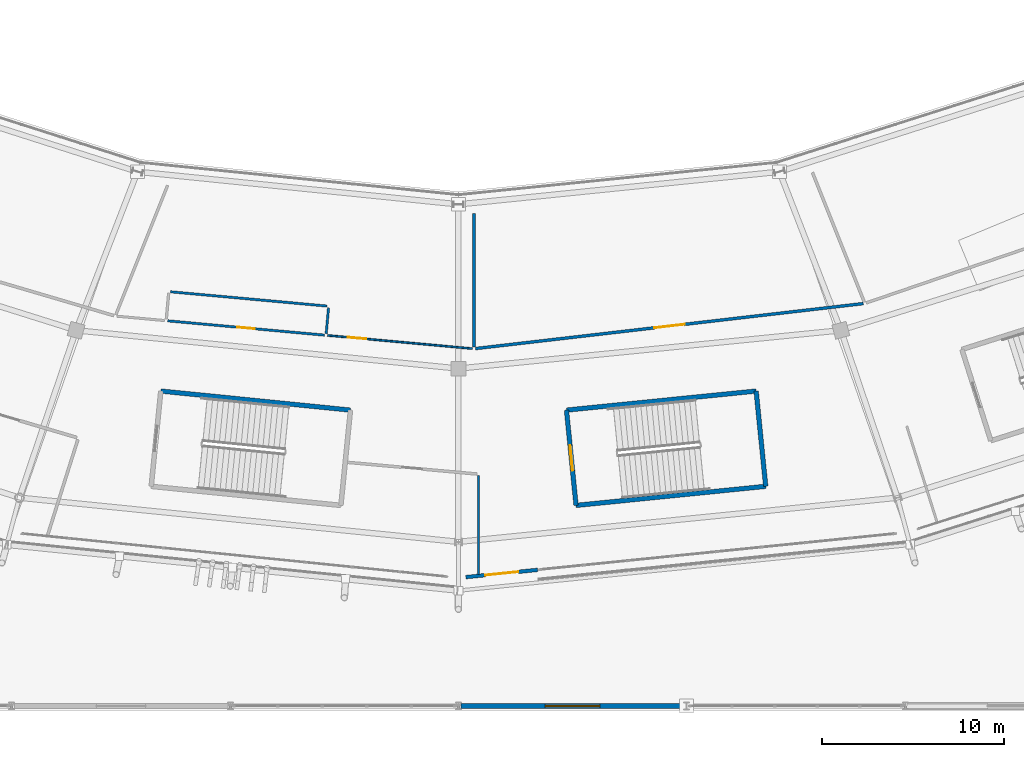
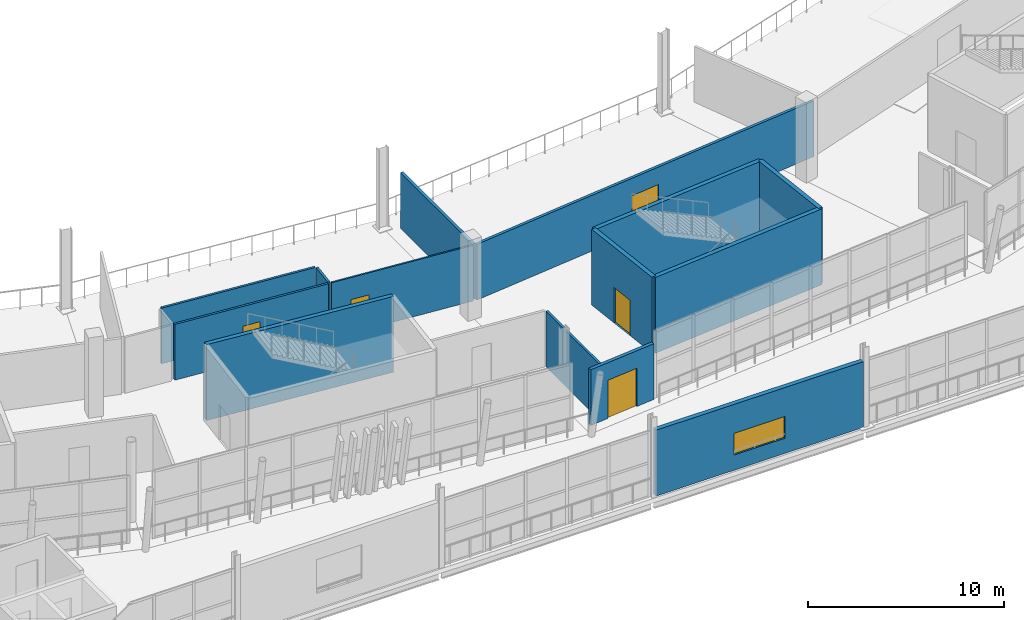
# One storey, part 126 of 179: 14 walls, 5 doors, 1 window, 6 openings.
"""IFC4 building model written with IfcOpenShell, lengths in metres."""

import ifcopenshell
import ifcopenshell.guid

model = None  # the IFC model being written
_history = None  # IfcOwnerHistory: only IFC2X3 demands one
_inside = {}  # id of a spatial element -> (the spatial element, [elements in it])
_under = {}  # id of a project, library or spatial element -> (it, [spatial elements below it])
_declared = {}  # id of a project -> (the project, [libraries it declares])
_typed = {}  # id of a type object -> (the type object, [elements of that type])
_made_of = {}  # id of a material, layer set ... -> (it, [elements and type objects made of it])


def new_model(schema):
    """Start an empty IFC model of exactly this schema.

    Asked for "IFC4X3", IfcOpenShell would pick the latest addendum, in which some entities
    have other attributes; the version numbers below select the first issue.
    IFC2X3 requires an IfcOwnerHistory on every rooted entity: one is made here for all.
    """
    global model, _history
    if schema == "IFC4X3":
        model = ifcopenshell.file(schema_version=(4, 3, 0, 0))
    else:
        model = ifcopenshell.file(schema=schema)
    _inside.clear()
    _under.clear()
    _declared.clear()
    _typed.clear()
    _made_of.clear()
    _history = None
    if model.schema == "IFC2X3":
        org = make("IfcOrganization", Name="unknown")
        user = make(
            "IfcPersonAndOrganization",
            ThePerson=make("IfcPerson", FamilyName="unknown"),
            TheOrganization=org,
        )
        app = make(
            "IfcApplication",
            ApplicationDeveloper=org,
            Version="unknown",
            ApplicationFullName="unknown",
            ApplicationIdentifier="unknown",
        )
        _history = make(
            "IfcOwnerHistory",
            OwningUser=user,
            OwningApplication=app,
            ChangeAction="ADDED",
            CreationDate=0,
        )
    return model


def make(cls, **values):
    """One entity of the class cls with the attributes given. An attribute that is None is left unset."""
    return model.create_entity(
        cls, **{name: value for name, value in values.items() if value is not None}
    )


def rooted(cls, **values):
    """An entity with a GlobalId (a new one), such as an element, a storey or a relation."""
    return make(cls, GlobalId=ifcopenshell.guid.new(), OwnerHistory=_history, **values)


def si_unit(unit_type, name, prefix=None):
    """IfcSIUnit, for example si_unit("LENGTHUNIT", "METRE", prefix="MILLI")."""
    return make("IfcSIUnit", UnitType=unit_type, Prefix=prefix, Name=name)


def assignment(units):
    """IfcUnitAssignment: the units of a project."""
    return None if units is None else make("IfcUnitAssignment", Units=units)


def point(xyz):
    """IfcCartesianPoint."""
    return None if xyz is None else make("IfcCartesianPoint", Coordinates=xyz)


def direction(xyz):
    """IfcDirection."""
    return None if xyz is None else make("IfcDirection", DirectionRatios=xyz)


def frame(location, z_axis=None, x_axis=None):
    """IfcAxis2Placement3D, a coordinate frame: its origin and axes. An axis left out is left unset."""
    return make(
        "IfcAxis2Placement3D",
        Location=point(location),
        Axis=direction(z_axis),
        RefDirection=direction(x_axis),
    )


def frame_2d(location, x_axis=None):
    """IfcAxis2Placement2D, a coordinate frame in the plane: its origin and x axis."""
    return make(
        "IfcAxis2Placement2D", Location=point(location), RefDirection=direction(x_axis)
    )


def origin():
    """The frame at (0, 0, 0) with its axes left unset."""
    return frame((0.0, 0.0, 0.0))


def place(relative_to, where):
    """IfcLocalPlacement: puts the frame where relative to a parent placement (None: the world)."""
    return make(
        "IfcLocalPlacement", PlacementRelTo=relative_to, RelativePlacement=where
    )


def context(
    kind, dimensions, precision=None, world=None, true_north=None, identifier=None
):
    """IfcGeometricRepresentationContext, for example the 3D "Model" context."""
    return make(
        "IfcGeometricRepresentationContext",
        ContextIdentifier=identifier,
        ContextType=kind,
        CoordinateSpaceDimension=dimensions,
        Precision=precision,
        WorldCoordinateSystem=world,
        TrueNorth=true_north,
    )


def subcontext(parent, identifier, kind, view, scale=None):
    """IfcGeometricRepresentationSubContext, for example "Body" below "Model"."""
    return make(
        "IfcGeometricRepresentationSubContext",
        ContextIdentifier=identifier,
        ContextType=kind,
        ParentContext=parent,
        TargetScale=scale,
        TargetView=view,
    )


def project(units=None, contexts=None):
    """IfcProject with its units and contexts."""
    return rooted(
        "IfcProject",
        Name="project",
        RepresentationContexts=contexts,
        UnitsInContext=assignment(units),
    )


def spatial(cls, under=None, at=None, **own):
    """A site, building, storey or space (cls), placed at a placement, below another one or the project."""
    s = rooted(cls, ObjectPlacement=at, **own)
    if under is not None:
        _under.setdefault(under.id(), (under, []))[1].append(s)
    return s


def profile(cls, at=None, kind="AREA", **sizes):
    """A parametric profile (cls). Its sizes go by their IFC names, for example OverallWidth=200.0."""
    return make(cls, ProfileType=kind, Position=at, **sizes)


def rectangle(**sizes):
    """IfcRectangleProfileDef."""
    return profile("IfcRectangleProfileDef", **sizes)


def extrude(swept, where, along, depth):
    """IfcExtrudedAreaSolid: the profile swept, set in the frame where, extruded along a direction by depth."""
    return make(
        "IfcExtrudedAreaSolid",
        SweptArea=swept,
        Position=where,
        ExtrudedDirection=direction(along),
        Depth=depth,
    )


def shape(context_of_items, identifier, shape_type, items):
    """IfcShapeRepresentation: the items that make up one representation, for example the "Body"."""
    return make(
        "IfcShapeRepresentation",
        ContextOfItems=context_of_items,
        RepresentationIdentifier=identifier,
        RepresentationType=shape_type,
        Items=items,
    )


def material(Name=None, Category=None):
    """IfcMaterial."""
    return make("IfcMaterial", Name=Name, Category=Category)


def layer(
    of_material, thickness, ventilated=None, Name=None, Category=None, Priority=None
):
    """IfcMaterialLayer: one layer of a wall or slab, of a material (None: an air gap)."""
    return make(
        "IfcMaterialLayer",
        Material=of_material,
        LayerThickness=thickness,
        IsVentilated=ventilated,
        Name=Name,
        Category=Category,
        Priority=Priority,
    )


def layer_set(layers, Name=None):
    """IfcMaterialLayerSet."""
    return make("IfcMaterialLayerSet", MaterialLayers=layers, LayerSetName=Name)


def made_of(thing, what):
    """Note that an element or type object is made of a material, layer set ...; save() writes the relation."""
    if what is not None:
        _made_of.setdefault(what.id(), (what, []))[1].append(thing)
    return thing


def type_object(cls, material=None, **own):
    """A type object (cls), such as IfcWallType, which elements share."""
    return made_of(rooted(cls, **own), material)


def element(
    cls,
    number,
    at=None,
    inside=None,
    cuts=None,
    type_object=None,
    material=None,
    context=None,
    identifier="Body",
    shape_type=None,
    held_by="IfcProductDefinitionShape",
    body=None,
    shapes=None,
    **own,
):
    """One element of the class cls, such as IfcWall. Its Tag is "e" and its number.

    at: its placement. inside: the storey or other place that contains it. cuts: it is an
    opening in that element (IfcRelVoidsElement). A single representation is given by context,
    identifier, shape_type and body (its items); several are given by shapes. held_by: the class
    of the entity that holds the representations. save() writes the other relations.
    """
    e = rooted(cls, Tag="e%d" % number, ObjectPlacement=at, **own)
    if body is not None:
        shapes = [shape(context, identifier, shape_type, body)]
    if shapes is not None:
        e.Representation = make(held_by, Representations=shapes)
    if inside is not None:
        _inside.setdefault(inside.id(), (inside, []))[1].append(e)
    if cuts is not None:
        rooted(
            "IfcRelVoidsElement", RelatingBuildingElement=cuts, RelatedOpeningElement=e
        )
    if type_object is not None:
        _typed.setdefault(type_object.id(), (type_object, []))[1].append(e)
    return made_of(e, material)


def fill(opening, filler):
    """IfcRelFillsElement: the door or window that sits in an opening."""
    return rooted(
        "IfcRelFillsElement",
        RelatingOpeningElement=opening,
        RelatedBuildingElement=filler,
    )


def aggregate(whole, parts):
    """IfcRelAggregates: a whole, such as a stair, and the parts it consists of."""
    return rooted("IfcRelAggregates", RelatingObject=whole, RelatedObjects=parts)


def save(model, path):
    """Write the relations noted so far, then the file.

    IfcRelAggregates (storeys below a building ...), IfcRelContainedInSpatialStructure (elements
    in a storey), IfcRelDefinesByType, IfcRelAssociatesMaterial and IfcRelDeclares: one each for
    every whole, place, type object, material and project.
    """
    for whole, parts in _under.values():
        aggregate(whole, parts)
    for where, things in _inside.values():
        rooted(
            "IfcRelContainedInSpatialStructure",
            RelatedElements=things,
            RelatingStructure=where,
        )
    for kind, things in _typed.values():
        rooted("IfcRelDefinesByType", RelatedObjects=things, RelatingType=kind)
    for what, things in _made_of.values():
        rooted("IfcRelAssociatesMaterial", RelatedObjects=things, RelatingMaterial=what)
    for by, libraries in _declared.values():
        rooted("IfcRelDeclares", RelatingContext=by, RelatedDefinitions=libraries)
    model.write(path)


model = new_model("IFC4")

# Units and contexts
model_context = context("Model", 3, precision=1e-05, world=origin(), true_north=direction((0.0, 1.0)))
body_context = subcontext(model_context, "Body", "Model", "MODEL_VIEW")
ifc_project = project(units=[si_unit("LENGTHUNIT", "METRE"), si_unit("AREAUNIT", "SQUARE_METRE"), si_unit("VOLUMEUNIT", "CUBIC_METRE"), si_unit("PLANEANGLEUNIT", "RADIAN"), si_unit("MASSUNIT", "GRAM", prefix="KILO")], contexts=[model_context])

# Site, building, storey
site_placement = place(None, origin())
site = spatial("IfcSite", under=ifc_project, at=site_placement, CompositionType="ELEMENT")
building_placement = place(site_placement, origin())
building = spatial("IfcBuilding", under=site, at=building_placement, Name="Zlatoyarsky Gate Stadium", CompositionType="ELEMENT")
storey_placement = place(building_placement, frame((0.0, 0.0, 10.60009765625)))
storey = spatial("IfcBuildingStorey", under=building, at=storey_placement, Name="L02", CompositionType="ELEMENT", Elevation=10.60009765625)

# Wall
ifc_material_1 = material(Name="Double-stud acoustic gypsum partition", Category="gypsum")
ifc_layer_1 = layer(ifc_material_1, 0.169921875)
ifc_layer_set_1 = layer_set([ifc_layer_1], Name="Double-stud acoustic gypsum partition")
wall_type_1 = type_object("IfcWallType", Name="ACOUSTIC BROADCAST STUDIO WALL 170", PredefinedType="PARTITIONING", material=ifc_layer_set_1)
wall_1_placement = place(storey_placement, frame((111.845703125, 27.0009765625, 0.0), z_axis=(0.0, 0.0, 1.0), x_axis=(0.0, -1.0, 0.0)))
element("IfcWall", 1, at=wall_1_placement, inside=storey, type_object=wall_type_1, Name="L02 interior partition PRT-L02-IRD-18", PredefinedType="PARTITIONING", context=body_context, shape_type="SweptSolid", body=[
    extrude(rectangle(XDim=7.33154296875, YDim=0.169921875, at=frame_2d((3.665771484375, 0.0))), origin(), (0.0, 0.0, 1.0), 3.469970703125),
])

# Wall, opening, door
ifc_material_2 = material(Name="Gypsum-clad mineral wool fire partition", Category="gypsum")
ifc_layer_2 = layer(ifc_material_2, 0.199951171875)
ifc_layer_set_2 = layer_set([ifc_layer_2], Name="Gypsum-clad mineral wool fire partition")
wall_type_2 = type_object("IfcWallType", Name="COMPARTMENT FIRE PARTITION WALL 200", PredefinedType="PARTITIONING", material=ifc_layer_set_2)
wall_2_placement = place(storey_placement, frame((111.403076171875, 7.06494140625, 0.0), z_axis=(0.0, 0.0, 1.0), x_axis=(0.994924851804, 0.100620769545, 0.0)))
wall_2 = element("IfcWall", 2, at=wall_2_placement, inside=storey, type_object=wall_type_2, Name="L02 interior partition PRT-PORTAL-L02-18", PredefinedType="PARTITIONING", context=body_context, shape_type="SweptSolid", body=[
    extrude(rectangle(XDim=3.959716796875, YDim=0.199951171875, at=frame_2d((1.97998046875, 0.0))), origin(), (0.0, 0.0, 1.0), 3.469970703125),
])
opening_1_placement = place(wall_2_placement, frame((1.070068359375, 0.0, 0.0)))
opening_1 = element("IfcOpeningElement", 3, at=opening_1_placement, cuts=wall_2, Name="Opening D-L02-716", PredefinedType="OPENING", context=body_context, shape_type="SweptSolid", body=[
    extrude(rectangle(XDim=1.820068359375, YDim=2.3798828125, at=frame_2d((0.91015625, 1.18994140625))), frame((0.0, 0.10986328125, 0.0), z_axis=(0.0, -1.0, 0.0), x_axis=(1.0, 0.0, 0.0)), (0.0, 0.0, 1.0), 0.219970703125),
])
ifc_material_3 = material(Name="Powder-coated steel fire door", Category="steel")
door_type_1 = type_object("IfcDoorType", Name="ACOUSTIC INTERIOR DOOR 1820X2380", OperationType="NOTDEFINED", PredefinedType="DOOR", material=ifc_material_3)
door_1_placement = place(opening_1_placement, origin())
door_1 = element("IfcDoor", 4, at=door_1_placement, inside=storey, type_object=door_type_1, Name="L02 room door D-L02-716", OperationType="SINGLE_SWING_RIGHT", OverallHeight=2.3798828125, OverallWidth=1.820068359375, PredefinedType="DOOR", context=body_context, shape_type="SweptSolid", body=[
    extrude(rectangle(XDim=1.820068359375, YDim=2.3798828125, at=frame_2d((0.91015625, 1.18994140625))), frame((0.0, 0.02490234375, 0.0), z_axis=(0.0, -1.0, 0.0), x_axis=(1.0, 0.0, 0.0)), (0.0, 0.0, 1.0), 0.050048828125),
])
fill(opening_1, door_1)

ifc_material_4 = material(Name="Concrete C40/50", Category="concrete")
ifc_layer_3 = layer(ifc_material_4, 0.25)
ifc_layer_set_3 = layer_set([ifc_layer_3], Name="Concrete C40/50")
wall_type_3 = type_object("IfcWallType", Name="CONCRETE STAIR CORE SHEAR WALL 250", PredefinedType="SHEAR", material=ifc_layer_set_3)
wall_3_placement = place(storey_placement, frame((116.92138671875, 16.220947265625, 0.0), z_axis=(0.0, 0.0, 1.0), x_axis=(0.100028593886, -0.994984562898, 0.0)))
wall_3 = element("IfcWall", 5, at=wall_3_placement, inside=storey, type_object=wall_type_3, Name="ST-10 L02 stair core entrance shear wall", PredefinedType="SHEAR", context=body_context, shape_type="SweptSolid", body=[
    extrude(rectangle(XDim=5.25, YDim=0.25, at=frame_2d((2.625, 0.0))), origin(), (0.0, 0.0, 1.0), 4.719970703125),
])
opening_2_placement = place(wall_3_placement, frame((1.925048828125, 0.0, 0.0)))
opening_2 = element("IfcOpeningElement", 6, at=opening_2_placement, cuts=wall_3, Name="Opening SD-ST-10-L02", PredefinedType="OPENING", context=body_context, shape_type="SweptSolid", body=[
    extrude(rectangle(XDim=1.39990234375, YDim=2.199951171875, at=frame_2d((0.699951171875, 1.10009765625))), frame((0.0, 0.135009765625, 0.0), z_axis=(0.0, -1.0, 0.0), x_axis=(1.0, 0.0, 0.0)), (0.0, 0.0, 1.0), 0.27001953125),
])
door_type_2 = type_object("IfcDoorType", Name="STAIR CORE FIRE EXIT DOOR 1400X2200", OperationType="NOTDEFINED", PredefinedType="DOOR", material=ifc_material_3)
door_2_placement = place(opening_2_placement, frame((1.39990234375, 0.0, 0.0), z_axis=(0.0, 0.0, 1.0), x_axis=(-1.0, 0.0, 0.0)))
door_2 = element("IfcDoor", 7, at=door_2_placement, inside=storey, type_object=door_type_2, Name="ST-10 L02 stair fire door", OperationType="SINGLE_SWING_RIGHT", OverallHeight=2.199951171875, OverallWidth=1.39990234375, PredefinedType="DOOR", context=body_context, shape_type="SweptSolid", body=[
    extrude(rectangle(XDim=1.39990234375, YDim=2.199951171875, at=frame_2d((0.699951171875, 1.10009765625))), frame((0.0, 0.02490234375, 0.0), z_axis=(0.0, -1.0, 0.0), x_axis=(1.0, 0.0, 0.0)), (0.0, 0.0, 1.0), 0.050048828125),
])
fill(opening_2, door_2)

# Walls
wall_4_placement = place(storey_placement, frame((117.446533203125, 10.997314453125, 0.0), z_axis=(0.0, 0.0, 1.0), x_axis=(0.994985938948, 0.100014905366, 0.0)))
element("IfcWall", 8, at=wall_4_placement, inside=storey, type_object=wall_type_3, Name="ST-10 L02 stair core left shear wall", PredefinedType="SHEAR", context=body_context, shape_type="SweptSolid", body=[
    extrude(rectangle(XDim=10.4501953125, YDim=0.25, at=frame_2d((5.22509765625, 0.0))), origin(), (0.0, 0.0, 1.0), 4.719970703125),
])
wall_5_placement = place(storey_placement, frame((127.84423828125, 12.04248046875, 0.0), z_axis=(0.0, 0.0, 1.0), x_axis=(-0.100028593886, 0.994984562898, 0.0)))
element("IfcWall", 9, at=wall_5_placement, inside=storey, type_object=wall_type_3, Name="ST-10 L02 stair core far shear wall", PredefinedType="SHEAR", context=body_context, shape_type="SweptSolid", body=[
    extrude(rectangle(XDim=5.25, YDim=0.25, at=frame_2d((2.625, 0.0))), origin(), (0.0, 0.0, 1.0), 4.719970703125),
])
wall_6_placement = place(storey_placement, frame((127.319091796875, 17.26611328125, 0.0), z_axis=(0.0, 0.0, 1.0), x_axis=(-0.994985938948, -0.100014905366, 0.0)))
element("IfcWall", 10, at=wall_6_placement, inside=storey, type_object=wall_type_3, Name="ST-10 L02 stair core right shear wall", PredefinedType="SHEAR", context=body_context, shape_type="SweptSolid", body=[
    extrude(rectangle(XDim=10.4501953125, YDim=0.25, at=frame_2d((5.22509765625, 0.0))), origin(), (0.0, 0.0, 1.0), 4.719970703125),
])
wall_7_placement = place(storey_placement, frame((105.078369140625, 16.220947265625, 0.0), z_axis=(0.0, 0.0, 1.0), x_axis=(-0.994985705245, 0.100017230303, 0.0)))
element("IfcWall", 11, at=wall_7_placement, inside=storey, type_object=wall_type_3, Name="ST-19 L02 stair core right shear wall", PredefinedType="SHEAR", context=body_context, shape_type="SweptSolid", body=[
    extrude(rectangle(XDim=10.449951171875, YDim=0.25, at=frame_2d((5.22509765625, 0.0))), origin(), (0.0, 0.0, 1.0), 4.719970703125),
])

# Wall, opening, door
ifc_material_5 = material(Name="Timber-veneered acoustic operable partition", Category="wood")
ifc_layer_4 = layer(ifc_material_5, 0.094970703125)
ifc_layer_set_4 = layer_set([ifc_layer_4], Name="Timber-veneered acoustic operable partition")
wall_type_4 = type_object("IfcWallType", Name="FOLDING BANQUET SALON WALL 95", PredefinedType="MOVABLE", material=ifc_layer_set_4)
wall_8_placement = place(storey_placement, frame((103.82373046875, 20.316162109375, 0.0), z_axis=(0.0, 0.0, 1.0), x_axis=(0.995864534593, -0.090850584695, 0.0)))
wall_8 = element("IfcWall", 12, at=wall_8_placement, inside=storey, type_object=wall_type_4, Name="L02 interior partition PRT-L02-ICC-17", PredefinedType="MOVABLE", context=body_context, shape_type="SweptSolid", body=[
    extrude(rectangle(XDim=7.970458984375, YDim=0.094970703125, at=frame_2d((3.9853515625, 0.0))), origin(), (0.0, 0.0, 1.0), 3.469970703125),
])
opening_3_placement = place(wall_8_placement, frame((1.10009765625, 0.0, 0.0)))
opening_3 = element("IfcOpeningElement", 13, at=opening_3_placement, cuts=wall_8, Name="Opening D-L02-329", PredefinedType="OPENING", context=body_context, shape_type="SweptSolid", body=[
    extrude(rectangle(XDim=1.02001953125, YDim=2.10009765625, at=frame_2d((0.510009765625, 1.050048828125))), frame((0.0, 0.057373046875, 0.0), z_axis=(0.0, -1.0, 0.0), x_axis=(1.0, 0.0, 0.0)), (0.0, 0.0, 1.0), 0.114990234375),
])
ifc_material_6 = material(Name="Solid-core oak veneer acoustic door", Category="wood")
door_type_3 = type_object("IfcDoorType", Name="ACOUSTIC INTERIOR DOOR 1020X2100", OperationType="NOTDEFINED", PredefinedType="DOOR", material=ifc_material_6)
door_3_placement = place(opening_3_placement, origin())
door_3 = element("IfcDoor", 14, at=door_3_placement, inside=storey, type_object=door_type_3, Name="L02 room door D-L02-329", OperationType="SINGLE_SWING_RIGHT", OverallHeight=2.10009765625, OverallWidth=1.02001953125, PredefinedType="DOOR", context=body_context, shape_type="SweptSolid", body=[
    extrude(rectangle(XDim=1.02001953125, YDim=2.10009765625, at=frame_2d((0.510009765625, 1.050048828125))), frame((0.0, 0.02490234375, 0.0), z_axis=(0.0, -1.0, 0.0), x_axis=(1.0, 0.0, 0.0)), (0.0, 0.0, 1.0), 0.050048828125),
])
fill(opening_3, door_3)

ifc_material_7 = material(Name="Acoustic metal-stud gypsum partition", Category="gypsum")
ifc_layer_5 = layer(ifc_material_7, 0.159912109375)
ifc_layer_set_5 = layer_set([ifc_layer_5], Name="Acoustic metal-stud gypsum partition")
wall_type_5 = type_object("IfcWallType", Name="HOSPITALITY SUITE PARTITION 160", PredefinedType="PARTITIONING", material=ifc_layer_set_5)
wall_9_placement = place(storey_placement, frame((111.93017578125, 19.59423828125, 0.0), z_axis=(0.0, 0.0, 1.0), x_axis=(0.993336503718, 0.115250120956, 0.0)))
wall_9 = element("IfcWall", 15, at=wall_9_placement, inside=storey, type_object=wall_type_5, Name="L02 interior partition PRT-L02-ICC-18", PredefinedType="PARTITIONING", context=body_context, shape_type="SweptSolid", body=[
    extrude(rectangle(XDim=21.40380859375, YDim=0.159912109375, at=frame_2d((10.701904296875, 0.0))), origin(), (0.0, 0.0, 1.0), 3.469970703125),
])
opening_4_placement = place(wall_9_placement, frame((9.86181640625, 0.0, 0.0)))
opening_4 = element("IfcOpeningElement", 16, at=opening_4_placement, cuts=wall_9, Name="Opening D-L02-331", PredefinedType="OPENING", context=body_context, shape_type="SweptSolid", body=[
    extrude(rectangle(XDim=1.679931640625, YDim=2.3798828125, at=frame_2d((0.83984375, 1.18994140625))), frame((0.0, 0.08984375, 0.0), z_axis=(0.0, -1.0, 0.0), x_axis=(1.0, 0.0, 0.0)), (0.0, 0.0, 1.0), 0.179931640625),
])
door_type_4 = type_object("IfcDoorType", Name="ACOUSTIC INTERIOR DOOR 1680X2380", OperationType="NOTDEFINED", PredefinedType="DOOR", material=ifc_material_3)
door_4_placement = place(opening_4_placement, origin())
door_4 = element("IfcDoor", 17, at=door_4_placement, inside=storey, type_object=door_type_4, Name="L02 room door D-L02-331", OperationType="SINGLE_SWING_LEFT", OverallHeight=2.3798828125, OverallWidth=1.679931640625, PredefinedType="DOOR", context=body_context, shape_type="SweptSolid", body=[
    extrude(rectangle(XDim=1.679931640625, YDim=2.3798828125, at=frame_2d((0.83984375, 1.18994140625))), frame((0.0, 0.02490234375, 0.0), z_axis=(0.0, -1.0, 0.0), x_axis=(1.0, 0.0, 0.0)), (0.0, 0.0, 1.0), 0.050048828125),
])
fill(opening_4, door_4)

# Wall, opening, window
ifc_material_8 = material(Name="Limestone-faced insulated masonry wall", Category="masonry")
ifc_layer_6 = layer(ifc_material_8, 0.260009765625)
ifc_layer_set_6 = layer_set([ifc_layer_6], Name="Limestone-faced insulated masonry wall")
wall_type_6 = type_object("IfcWallType", Name="PORTICO COLONNADE PLINTH WALL 260", PredefinedType="STANDARD", material=ifc_layer_set_6)
wall_10_placement = place(storey_placement, frame((111.14697265625, 0.0, 0.0), z_axis=(0.0, 0.0, 1.0), x_axis=(1.0, 0.0, 0.0)))
wall_10 = element("IfcWall", 18, at=wall_10_placement, inside=storey, type_object=wall_type_6, Name="V3_SOUTH L02 S exterior wall", PredefinedType="STANDARD", context=body_context, shape_type="SweptSolid", body=[
    extrude(rectangle(XDim=12.2060546875, YDim=0.260009765625, at=frame_2d((6.10302734375, 0.0))), origin(), (0.0, 0.0, 1.0), 4.099853515625),
])
opening_5_placement = place(wall_10_placement, frame((4.60302734375, 0.0, 0.949951171875)))
opening_5 = element("IfcOpeningElement", 19, at=opening_5_placement, cuts=wall_10, Name="Opening WN-25", PredefinedType="OPENING", context=body_context, shape_type="SweptSolid", body=[
    extrude(rectangle(XDim=3.0, YDim=1.35009765625, at=frame_2d((1.5, 0.675048828125))), frame((0.0, 0.139892578125, 0.0), z_axis=(0.0, -1.0, 0.0), x_axis=(1.0, 0.0, 0.0)), (0.0, 0.0, 1.0), 0.280029296875),
])
ifc_material_9 = material(Name="Triple-glazed thermally broken aluminium window", Category="aluminium")
window_type = type_object("IfcWindowType", Name="TRIPLE GLAZED ALUMINIUM WINDOW 3000X1350", PartitioningType="SINGLE_PANEL", PredefinedType="WINDOW", material=ifc_material_9)
window_placement = place(opening_5_placement, origin())
window = element("IfcWindow", 20, at=window_placement, inside=storey, type_object=window_type, Name="Exterior window WIN-L02-025", OverallHeight=1.35009765625, OverallWidth=3.0, PartitioningType="SINGLE_PANEL", PredefinedType="WINDOW", context=body_context, shape_type="SweptSolid", body=[
    extrude(rectangle(XDim=3.0, YDim=1.35009765625, at=frame_2d((1.5, 0.675048828125))), frame((0.0, 0.030029296875, 0.0), z_axis=(0.0, -1.0, 0.0), x_axis=(1.0, 0.0, 0.0)), (0.0, 0.0, 1.0), 0.06005859375),
])
fill(opening_5, window)

# Wall, opening, door
ifc_material_10 = material(Name="Moisture-resistant tile-backed partition", Category="gypsum")
ifc_layer_7 = layer(ifc_material_10, 0.1298828125)
ifc_layer_set_7 = layer_set([ifc_layer_7], Name="Moisture-resistant tile-backed partition")
wall_type_7 = type_object("IfcWallType", Name="SANITARY WET ROOM PARTITION 130", PredefinedType="PARTITIONING", material=ifc_layer_set_7)
wall_11_placement = place(storey_placement, frame((95.06005859375, 21.11572265625, 0.0), z_axis=(0.0, 0.0, 1.0), x_axis=(0.995863239806, -0.090864776475, 0.0)))
wall_11 = element("IfcWall", 21, at=wall_11_placement, inside=storey, type_object=wall_type_7, Name="L02 interior partition PRT-L02-WC17-F", PredefinedType="PARTITIONING", context=body_context, shape_type="SweptSolid", body=[
    extrude(rectangle(XDim=8.630126953125, YDim=0.1298828125, at=frame_2d((4.31494140625, 0.0))), origin(), (0.0, 0.0, 1.0), 3.469970703125),
])
opening_6_placement = place(wall_11_placement, frame((3.8349609375, 0.0, 0.0)))
opening_6 = element("IfcOpeningElement", 22, at=opening_6_placement, cuts=wall_11, Name="Opening D-L02-324", PredefinedType="OPENING", context=body_context, shape_type="SweptSolid", body=[
    extrude(rectangle(XDim=0.9599609375, YDim=2.239990234375, at=frame_2d((0.47998046875, 1.1201171875))), frame((0.0, 0.074951171875, 0.0), z_axis=(0.0, -1.0, 0.0), x_axis=(1.0, 0.0, 0.0)), (0.0, 0.0, 1.0), 0.14990234375),
])
door_type_5 = type_object("IfcDoorType", Name="ACOUSTIC INTERIOR DOOR 960X2240", OperationType="NOTDEFINED", PredefinedType="DOOR", material=ifc_material_6)
door_5_placement = place(opening_6_placement, origin())
door_5 = element("IfcDoor", 23, at=door_5_placement, inside=storey, type_object=door_type_5, Name="L02 room door D-L02-324", OperationType="SINGLE_SWING_LEFT", OverallHeight=2.239990234375, OverallWidth=0.9599609375, PredefinedType="DOOR", context=body_context, shape_type="SweptSolid", body=[
    extrude(rectangle(XDim=0.9599609375, YDim=2.239990234375, at=frame_2d((0.47998046875, 1.1201171875))), frame((0.0, 0.02490234375, 0.0), z_axis=(0.0, -1.0, 0.0), x_axis=(1.0, 0.0, 0.0)), (0.0, 0.0, 1.0), 0.050048828125),
])
fill(opening_6, door_5)

# Walls
wall_12_placement = place(storey_placement, frame((95.20556640625, 22.708984375, 0.0), z_axis=(0.0, 0.0, 1.0), x_axis=(0.995865565838, -0.090839279925, 0.0)))
element("IfcWall", 24, at=wall_12_placement, inside=storey, type_object=wall_type_7, Name="L02 interior partition PRT-L02-WC17-B", PredefinedType="PARTITIONING", context=body_context, shape_type="SweptSolid", body=[
    extrude(rectangle(XDim=8.6298828125, YDim=0.1298828125, at=frame_2d((4.31494140625, 0.0))), origin(), (0.0, 0.0, 1.0), 3.469970703125),
])
wall_13_placement = place(storey_placement, frame((103.746826171875, 20.408447265625, 0.0), z_axis=(0.0, 0.0, 1.0), x_axis=(0.090812781408, 0.995867982583, 0.0)))
element("IfcWall", 25, at=wall_13_placement, inside=storey, type_object=wall_type_7, Name="L02 interior partition PRT-L02-WC17-R", PredefinedType="PARTITIONING", context=body_context, shape_type="SweptSolid", body=[
    extrude(rectangle(XDim=1.43017578125, YDim=0.1298828125, at=frame_2d((0.715087890625, 0.0))), origin(), (0.0, 0.0, 1.0), 3.469970703125),
])
wall_14_placement = place(storey_placement, frame((112.094482421875, 12.625, 0.0), z_axis=(0.0, 0.0, 1.0), x_axis=(0.0, -1.0, 0.0)))
element("IfcWall", 26, at=wall_14_placement, inside=storey, type_object=wall_type_7, Name="L02 interior partition PRT-L02-ORD-17R", PredefinedType="PARTITIONING", context=body_context, shape_type="SweptSolid", body=[
    extrude(rectangle(XDim=5.4052734375, YDim=0.1298828125, at=frame_2d((2.70263671875, 0.0))), origin(), (0.0, 0.0, 1.0), 3.469970703125),
])

save(model, "model.ifc")
